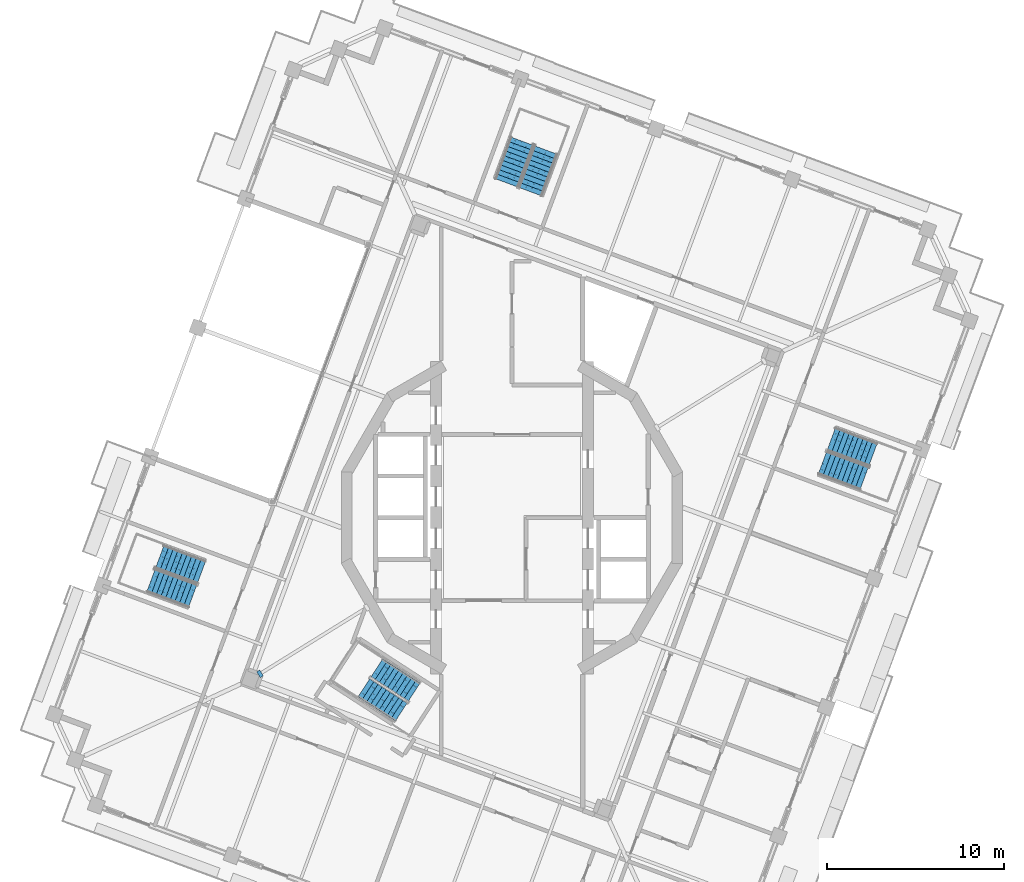
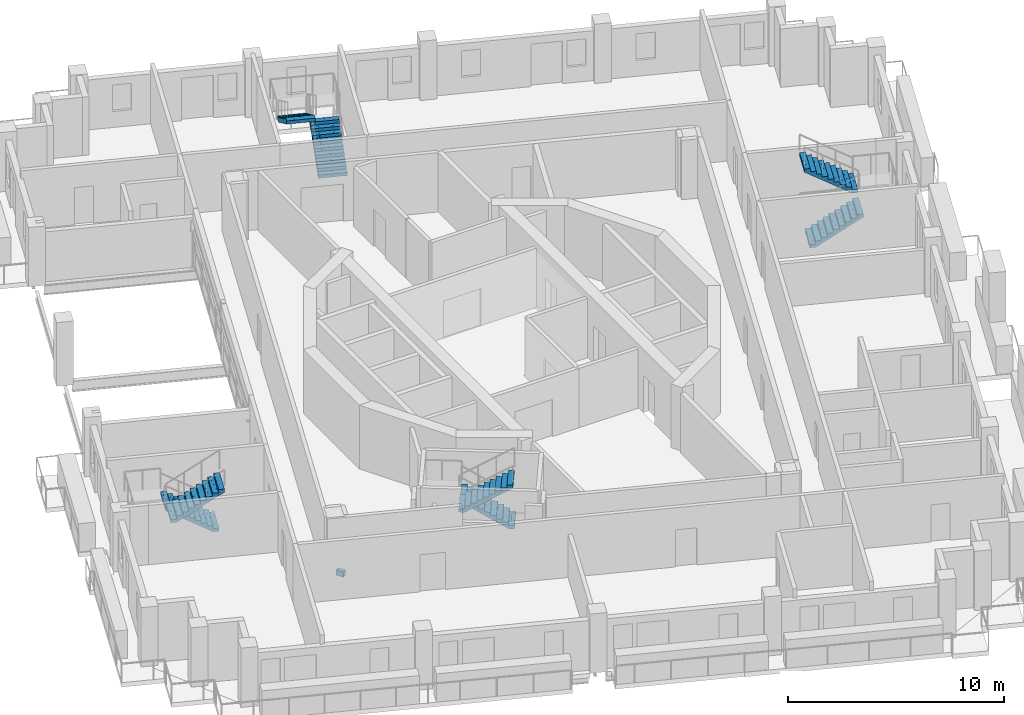
# One storey, part 13 of 20: 8 stair flights, 1 discrete accessory, 4 elements without a shape of their own.
"""IFC4 building model written with IfcOpenShell, lengths in metres."""

from ifc_helpers import new_model, si_unit, direction, frame, origin, place, context, subcontext, project, spatial, polyline, outline, extrude, material, layer, layer_set, type_object, element, aggregate, save


model = new_model("IFC4")

# Units and contexts
model_context = context("Model", 3, precision=1e-05, world=origin(), true_north=direction((0.0, 1.0)))
body_context = subcontext(model_context, "Body", "Model", "MODEL_VIEW")
ifc_project = project(units=[si_unit("LENGTHUNIT", "METRE"), si_unit("AREAUNIT", "SQUARE_METRE"), si_unit("VOLUMEUNIT", "CUBIC_METRE"), si_unit("PLANEANGLEUNIT", "RADIAN"), si_unit("MASSUNIT", "GRAM", prefix="KILO")], contexts=[model_context])

# Site, building, storey
site_placement = place(None, origin())
site = spatial("IfcSite", under=ifc_project, at=site_placement, CompositionType="ELEMENT")
building_placement = place(site_placement, origin())
building = spatial("IfcBuilding", under=site, at=building_placement, Name="Cantera Rosa Tower", CompositionType="ELEMENT")
storey_placement = place(building_placement, frame((0.0, 0.0, 309.699951171875)))
storey = spatial("IfcBuildingStorey", under=building, at=storey_placement, Name="L68", CompositionType="ELEMENT", Elevation=309.699951171875)

# Stair, stair flights
ifc_material_1 = material(Name="Concrete C35/45", Category="concrete")
stair_type_1 = type_object("IfcStairType", Name="EXIT STAIR 1200 DOGLEG", PredefinedType="HALF_TURN_STAIR", material=ifc_material_1)
stair_1_placement = place(storey_placement, origin())
stair_1 = element("IfcStair", 1, at=stair_1_placement, inside=storey, type_object=stair_type_1, Name="L68 ST-64", PredefinedType="HALF_TURN_STAIR")
ifc_material_2 = material(Name="Concrete C35/45", Category="concrete")
stair_flight_type_1 = type_object("IfcStairFlightType", Name="STAIR FLIGHT 1200 R20x180", PredefinedType="STRAIGHT", material=ifc_material_2)
stair_flight_1_placement = place(storey_placement, frame((-5.532470703125, -9.878173828125, 0.0), z_axis=(0.0, 0.0, 1.0), x_axis=(-0.838670567945, 0.544639035015, 0.0)))
stair_flight_1 = element("IfcStairFlight", 2, at=stair_flight_1_placement, type_object=stair_flight_type_1, Name="ST-64 flight 1", NumberOfRisers=10, NumberOfTreads=9, PredefinedType="STRAIGHT", RiserHeight=0.18, TreadLength=0.28, context=body_context, shape_type="SweptSolid", body=[
    extrude(outline(polyline([(0.0, 0.0), (0.0, 0.179931640625), (0.280029296875, 0.179931640625), (0.280029296875, 0.360107421875), (0.56005859375, 0.360107421875), (0.56005859375, 0.5400390625), (0.840087890625, 0.5400390625), (0.840087890625, 0.719970703125), (1.1201171875, 0.719970703125), (1.1201171875, 0.89990234375), (1.39990234375, 0.89990234375), (1.39990234375, 1.080078125), (1.679931640625, 1.080078125), (1.679931640625, 1.260009765625), (1.9599609375, 1.260009765625), (1.9599609375, 1.43994140625), (2.239990234375, 1.43994140625), (2.239990234375, 1.6201171875), (2.52001953125, 1.6201171875), (2.52001953125, 1.800048828125), (2.52001953125, 1.44189453125), (0.277099609375, 0.0), (0.0, 0.0)])), frame((0.0, 0.60009765625, 0.0), z_axis=(0.0, -1.0, 0.0), x_axis=(1.0, 0.0, 0.0)), (0.0, 0.0, 1.0), 0.298583984375),
    extrude(outline(polyline([(0.0, 0.0), (0.0, 0.179931640625), (0.280029296875, 0.179931640625), (0.280029296875, 0.360107421875), (0.56005859375, 0.360107421875), (0.56005859375, 0.5400390625), (0.840087890625, 0.5400390625), (0.840087890625, 0.719970703125), (1.1201171875, 0.719970703125), (1.1201171875, 0.89990234375), (1.39990234375, 0.89990234375), (1.39990234375, 1.080078125), (1.679931640625, 1.080078125), (1.679931640625, 1.260009765625), (1.9599609375, 1.260009765625), (1.9599609375, 1.43994140625), (2.239990234375, 1.43994140625), (2.239990234375, 1.6201171875), (2.52001953125, 1.6201171875), (2.52001953125, 1.800048828125), (2.52001953125, 1.44189453125), (0.277099609375, 0.0), (0.0, 0.0)])), frame((0.0, 0.29931640625, 0.0), z_axis=(0.0, -1.0, 0.0), x_axis=(1.0, 0.0, 0.0)), (0.0, 0.0, 1.0), 0.298583984375),
    extrude(outline(polyline([(0.0, 0.0), (0.0, 0.179931640625), (0.280029296875, 0.179931640625), (0.280029296875, 0.360107421875), (0.56005859375, 0.360107421875), (0.56005859375, 0.5400390625), (0.840087890625, 0.5400390625), (0.840087890625, 0.719970703125), (1.1201171875, 0.719970703125), (1.1201171875, 0.89990234375), (1.39990234375, 0.89990234375), (1.39990234375, 1.080078125), (1.679931640625, 1.080078125), (1.679931640625, 1.260009765625), (1.9599609375, 1.260009765625), (1.9599609375, 1.43994140625), (2.239990234375, 1.43994140625), (2.239990234375, 1.6201171875), (2.52001953125, 1.6201171875), (2.52001953125, 1.800048828125), (2.52001953125, 1.44189453125), (0.277099609375, 0.0), (0.0, 0.0)])), frame((0.0, -0.0009765625, 0.0), z_axis=(0.0, -1.0, 0.0), x_axis=(1.0, 0.0, 0.0)), (0.0, 0.0, 1.0), 0.298583984375),
    extrude(outline(polyline([(0.0, 0.0), (0.0, 0.179931640625), (0.280029296875, 0.179931640625), (0.280029296875, 0.360107421875), (0.56005859375, 0.360107421875), (0.56005859375, 0.5400390625), (0.840087890625, 0.5400390625), (0.840087890625, 0.719970703125), (1.1201171875, 0.719970703125), (1.1201171875, 0.89990234375), (1.39990234375, 0.89990234375), (1.39990234375, 1.080078125), (1.679931640625, 1.080078125), (1.679931640625, 1.260009765625), (1.9599609375, 1.260009765625), (1.9599609375, 1.43994140625), (2.239990234375, 1.43994140625), (2.239990234375, 1.6201171875), (2.52001953125, 1.6201171875), (2.52001953125, 1.800048828125), (2.52001953125, 1.44189453125), (0.277099609375, 0.0), (0.0, 0.0)])), frame((0.0, -0.3017578125, 0.0), z_axis=(0.0, -1.0, 0.0), x_axis=(1.0, 0.0, 0.0)), (0.0, 0.0, 1.0), 0.298583984375),
])
stair_flight_2_placement = place(storey_placement, frame((-8.381103515625, -9.6376953125, 1.800048828125), z_axis=(0.0, 0.0, 1.0), x_axis=(0.838670567945, -0.544639035015, 0.0)))
stair_flight_2 = element("IfcStairFlight", 3, at=stair_flight_2_placement, type_object=stair_flight_type_1, Name="ST-64 flight 2", NumberOfRisers=10, NumberOfTreads=9, PredefinedType="STRAIGHT", RiserHeight=0.18, TreadLength=0.28, context=body_context, shape_type="SweptSolid", body=[
    extrude(outline(polyline([(0.0, 0.0), (0.0, 0.179931640625), (0.280029296875, 0.179931640625), (0.280029296875, 0.360107421875), (0.56005859375, 0.360107421875), (0.56005859375, 0.5400390625), (0.840087890625, 0.5400390625), (0.840087890625, 0.719970703125), (1.1201171875, 0.719970703125), (1.1201171875, 0.89990234375), (1.39990234375, 0.89990234375), (1.39990234375, 1.080078125), (1.679931640625, 1.080078125), (1.679931640625, 1.260009765625), (1.9599609375, 1.260009765625), (1.9599609375, 1.43994140625), (2.239990234375, 1.43994140625), (2.239990234375, 1.6201171875), (2.52001953125, 1.6201171875), (2.52001953125, 1.800048828125), (2.52001953125, 1.44189453125), (0.277099609375, 0.0), (0.0, 0.0)])), frame((0.0, 0.60009765625, 0.0), z_axis=(0.0, -1.0, 0.0), x_axis=(1.0, 0.0, 0.0)), (0.0, 0.0, 1.0), 0.298583984375),
    extrude(outline(polyline([(0.0, 0.0), (0.0, 0.179931640625), (0.280029296875, 0.179931640625), (0.280029296875, 0.360107421875), (0.56005859375, 0.360107421875), (0.56005859375, 0.5400390625), (0.840087890625, 0.5400390625), (0.840087890625, 0.719970703125), (1.1201171875, 0.719970703125), (1.1201171875, 0.89990234375), (1.39990234375, 0.89990234375), (1.39990234375, 1.080078125), (1.679931640625, 1.080078125), (1.679931640625, 1.260009765625), (1.9599609375, 1.260009765625), (1.9599609375, 1.43994140625), (2.239990234375, 1.43994140625), (2.239990234375, 1.6201171875), (2.52001953125, 1.6201171875), (2.52001953125, 1.800048828125), (2.52001953125, 1.44189453125), (0.277099609375, 0.0), (0.0, 0.0)])), frame((0.0, 0.29931640625, 0.0), z_axis=(0.0, -1.0, 0.0), x_axis=(1.0, 0.0, 0.0)), (0.0, 0.0, 1.0), 0.298583984375),
    extrude(outline(polyline([(0.0, 0.0), (0.0, 0.179931640625), (0.280029296875, 0.179931640625), (0.280029296875, 0.360107421875), (0.56005859375, 0.360107421875), (0.56005859375, 0.5400390625), (0.840087890625, 0.5400390625), (0.840087890625, 0.719970703125), (1.1201171875, 0.719970703125), (1.1201171875, 0.89990234375), (1.39990234375, 0.89990234375), (1.39990234375, 1.080078125), (1.679931640625, 1.080078125), (1.679931640625, 1.260009765625), (1.9599609375, 1.260009765625), (1.9599609375, 1.43994140625), (2.239990234375, 1.43994140625), (2.239990234375, 1.6201171875), (2.52001953125, 1.6201171875), (2.52001953125, 1.800048828125), (2.52001953125, 1.44189453125), (0.277099609375, 0.0), (0.0, 0.0)])), frame((0.0, -0.0009765625, 0.0), z_axis=(0.0, -1.0, 0.0), x_axis=(1.0, 0.0, 0.0)), (0.0, 0.0, 1.0), 0.298583984375),
    extrude(outline(polyline([(0.0, 0.0), (0.0, 0.179931640625), (0.280029296875, 0.179931640625), (0.280029296875, 0.360107421875), (0.56005859375, 0.360107421875), (0.56005859375, 0.5400390625), (0.840087890625, 0.5400390625), (0.840087890625, 0.719970703125), (1.1201171875, 0.719970703125), (1.1201171875, 0.89990234375), (1.39990234375, 0.89990234375), (1.39990234375, 1.080078125), (1.679931640625, 1.080078125), (1.679931640625, 1.260009765625), (1.9599609375, 1.260009765625), (1.9599609375, 1.43994140625), (2.239990234375, 1.43994140625), (2.239990234375, 1.6201171875), (2.52001953125, 1.6201171875), (2.52001953125, 1.800048828125), (2.52001953125, 1.44189453125), (0.277099609375, 0.0), (0.0, 0.0)])), frame((0.0, -0.3017578125, 0.0), z_axis=(0.0, -1.0, 0.0), x_axis=(1.0, 0.0, 0.0)), (0.0, 0.0, 1.0), 0.298583984375),
])
aggregate(stair_1, [stair_flight_1, stair_flight_2])

ifc_material_3 = material(Name="Concrete C35/45", Category="concrete")
stair_type_2 = type_object("IfcStairType", Name="EXIT STAIR 1350 DOGLEG", PredefinedType="HALF_TURN_STAIR", material=ifc_material_3)
stair_2_placement = place(storey_placement, origin())
stair_2 = element("IfcStair", 4, at=stair_2_placement, inside=storey, type_object=stair_type_2, Name="L68 ST-61", PredefinedType="HALF_TURN_STAIR")
ifc_material_4 = material(Name="Concrete C35/45", Category="concrete")
stair_flight_type_2 = type_object("IfcStairFlightType", Name="STAIR FLIGHT 1350 R20x180", PredefinedType="STRAIGHT", material=ifc_material_4)
stair_flight_3_placement = place(storey_placement, frame((17.55908203125, 3.064453125, 0.0), z_axis=(0.0, 0.0, 1.0), x_axis=(0.937686938944, -0.347481229039, 0.0)))
stair_flight_3 = element("IfcStairFlight", 5, at=stair_flight_3_placement, type_object=stair_flight_type_2, Name="ST-61 flight 1", NumberOfRisers=10, NumberOfTreads=9, PredefinedType="STRAIGHT", RiserHeight=0.18, TreadLength=0.28, context=body_context, shape_type="SweptSolid", body=[
    extrude(outline(polyline([(0.0, 0.0), (0.0, 0.179931640625), (0.280029296875, 0.179931640625), (0.280029296875, 0.360107421875), (0.56005859375, 0.360107421875), (0.56005859375, 0.5400390625), (0.840087890625, 0.5400390625), (0.840087890625, 0.719970703125), (1.1201171875, 0.719970703125), (1.1201171875, 0.89990234375), (1.39990234375, 0.89990234375), (1.39990234375, 1.080078125), (1.679931640625, 1.080078125), (1.679931640625, 1.260009765625), (1.9599609375, 1.260009765625), (1.9599609375, 1.43994140625), (2.239990234375, 1.43994140625), (2.239990234375, 1.6201171875), (2.52001953125, 1.6201171875), (2.52001953125, 1.800048828125), (2.52001953125, 1.44189453125), (0.277099609375, 0.0), (0.0, 0.0)])), frame((0.0, 0.675048828125, 0.0), z_axis=(0.0, -1.0, 0.0), x_axis=(1.0, 0.0, 0.0)), (0.0, 0.0, 1.0), 0.3359375),
    extrude(outline(polyline([(0.0, 0.0), (0.0, 0.179931640625), (0.280029296875, 0.179931640625), (0.280029296875, 0.360107421875), (0.56005859375, 0.360107421875), (0.56005859375, 0.5400390625), (0.840087890625, 0.5400390625), (0.840087890625, 0.719970703125), (1.1201171875, 0.719970703125), (1.1201171875, 0.89990234375), (1.39990234375, 0.89990234375), (1.39990234375, 1.080078125), (1.679931640625, 1.080078125), (1.679931640625, 1.260009765625), (1.9599609375, 1.260009765625), (1.9599609375, 1.43994140625), (2.239990234375, 1.43994140625), (2.239990234375, 1.6201171875), (2.52001953125, 1.6201171875), (2.52001953125, 1.800048828125), (2.52001953125, 1.44189453125), (0.277099609375, 0.0), (0.0, 0.0)])), frame((0.0, 0.337158203125, 0.0), z_axis=(0.0, -1.0, 0.0), x_axis=(1.0, 0.0, 0.0)), (0.0, 0.0, 1.0), 0.3359375),
    extrude(outline(polyline([(0.0, 0.0), (0.0, 0.179931640625), (0.280029296875, 0.179931640625), (0.280029296875, 0.360107421875), (0.56005859375, 0.360107421875), (0.56005859375, 0.5400390625), (0.840087890625, 0.5400390625), (0.840087890625, 0.719970703125), (1.1201171875, 0.719970703125), (1.1201171875, 0.89990234375), (1.39990234375, 0.89990234375), (1.39990234375, 1.080078125), (1.679931640625, 1.080078125), (1.679931640625, 1.260009765625), (1.9599609375, 1.260009765625), (1.9599609375, 1.43994140625), (2.239990234375, 1.43994140625), (2.239990234375, 1.6201171875), (2.52001953125, 1.6201171875), (2.52001953125, 1.800048828125), (2.52001953125, 1.44189453125), (0.277099609375, 0.0), (0.0, 0.0)])), frame((0.0, -0.000732421875, 0.0), z_axis=(0.0, -1.0, 0.0), x_axis=(1.0, 0.0, 0.0)), (0.0, 0.0, 1.0), 0.3359375),
    extrude(outline(polyline([(0.0, 0.0), (0.0, 0.179931640625), (0.280029296875, 0.179931640625), (0.280029296875, 0.360107421875), (0.56005859375, 0.360107421875), (0.56005859375, 0.5400390625), (0.840087890625, 0.5400390625), (0.840087890625, 0.719970703125), (1.1201171875, 0.719970703125), (1.1201171875, 0.89990234375), (1.39990234375, 0.89990234375), (1.39990234375, 1.080078125), (1.679931640625, 1.080078125), (1.679931640625, 1.260009765625), (1.9599609375, 1.260009765625), (1.9599609375, 1.43994140625), (2.239990234375, 1.43994140625), (2.239990234375, 1.6201171875), (2.52001953125, 1.6201171875), (2.52001953125, 1.800048828125), (2.52001953125, 1.44189453125), (0.277099609375, 0.0), (0.0, 0.0)])), frame((0.0, -0.338623046875, 0.0), z_axis=(0.0, -1.0, 0.0), x_axis=(1.0, 0.0, 0.0)), (0.0, 0.0, 1.0), 0.3359375),
])
stair_flight_4_placement = place(storey_placement, frame((20.443115234375, 3.595458984375, 1.800048828125), z_axis=(0.0, 0.0, 1.0), x_axis=(-0.937686938944, 0.347481229039, 0.0)))
stair_flight_4 = element("IfcStairFlight", 6, at=stair_flight_4_placement, type_object=stair_flight_type_2, Name="ST-61 flight 2", NumberOfRisers=10, NumberOfTreads=9, PredefinedType="STRAIGHT", RiserHeight=0.18, TreadLength=0.28, context=body_context, shape_type="SweptSolid", body=[
    extrude(outline(polyline([(0.0, 0.0), (0.0, 0.179931640625), (0.280029296875, 0.179931640625), (0.280029296875, 0.360107421875), (0.56005859375, 0.360107421875), (0.56005859375, 0.5400390625), (0.840087890625, 0.5400390625), (0.840087890625, 0.719970703125), (1.1201171875, 0.719970703125), (1.1201171875, 0.89990234375), (1.39990234375, 0.89990234375), (1.39990234375, 1.080078125), (1.679931640625, 1.080078125), (1.679931640625, 1.260009765625), (1.9599609375, 1.260009765625), (1.9599609375, 1.43994140625), (2.239990234375, 1.43994140625), (2.239990234375, 1.6201171875), (2.52001953125, 1.6201171875), (2.52001953125, 1.800048828125), (2.52001953125, 1.44189453125), (0.277099609375, 0.0), (0.0, 0.0)])), frame((0.0, 0.675048828125, 0.0), z_axis=(0.0, -1.0, 0.0), x_axis=(1.0, 0.0, 0.0)), (0.0, 0.0, 1.0), 0.3359375),
    extrude(outline(polyline([(0.0, 0.0), (0.0, 0.179931640625), (0.280029296875, 0.179931640625), (0.280029296875, 0.360107421875), (0.56005859375, 0.360107421875), (0.56005859375, 0.5400390625), (0.840087890625, 0.5400390625), (0.840087890625, 0.719970703125), (1.1201171875, 0.719970703125), (1.1201171875, 0.89990234375), (1.39990234375, 0.89990234375), (1.39990234375, 1.080078125), (1.679931640625, 1.080078125), (1.679931640625, 1.260009765625), (1.9599609375, 1.260009765625), (1.9599609375, 1.43994140625), (2.239990234375, 1.43994140625), (2.239990234375, 1.6201171875), (2.52001953125, 1.6201171875), (2.52001953125, 1.800048828125), (2.52001953125, 1.44189453125), (0.277099609375, 0.0), (0.0, 0.0)])), frame((0.0, 0.337158203125, 0.0), z_axis=(0.0, -1.0, 0.0), x_axis=(1.0, 0.0, 0.0)), (0.0, 0.0, 1.0), 0.3359375),
    extrude(outline(polyline([(0.0, 0.0), (0.0, 0.179931640625), (0.280029296875, 0.179931640625), (0.280029296875, 0.360107421875), (0.56005859375, 0.360107421875), (0.56005859375, 0.5400390625), (0.840087890625, 0.5400390625), (0.840087890625, 0.719970703125), (1.1201171875, 0.719970703125), (1.1201171875, 0.89990234375), (1.39990234375, 0.89990234375), (1.39990234375, 1.080078125), (1.679931640625, 1.080078125), (1.679931640625, 1.260009765625), (1.9599609375, 1.260009765625), (1.9599609375, 1.43994140625), (2.239990234375, 1.43994140625), (2.239990234375, 1.6201171875), (2.52001953125, 1.6201171875), (2.52001953125, 1.800048828125), (2.52001953125, 1.44189453125), (0.277099609375, 0.0), (0.0, 0.0)])), frame((0.0, -0.000732421875, 0.0), z_axis=(0.0, -1.0, 0.0), x_axis=(1.0, 0.0, 0.0)), (0.0, 0.0, 1.0), 0.3359375),
    extrude(outline(polyline([(0.0, 0.0), (0.0, 0.179931640625), (0.280029296875, 0.179931640625), (0.280029296875, 0.360107421875), (0.56005859375, 0.360107421875), (0.56005859375, 0.5400390625), (0.840087890625, 0.5400390625), (0.840087890625, 0.719970703125), (1.1201171875, 0.719970703125), (1.1201171875, 0.89990234375), (1.39990234375, 0.89990234375), (1.39990234375, 1.080078125), (1.679931640625, 1.080078125), (1.679931640625, 1.260009765625), (1.9599609375, 1.260009765625), (1.9599609375, 1.43994140625), (2.239990234375, 1.43994140625), (2.239990234375, 1.6201171875), (2.52001953125, 1.6201171875), (2.52001953125, 1.800048828125), (2.52001953125, 1.44189453125), (0.277099609375, 0.0), (0.0, 0.0)])), frame((0.0, -0.338623046875, 0.0), z_axis=(0.0, -1.0, 0.0), x_axis=(1.0, 0.0, 0.0)), (0.0, 0.0, 1.0), 0.3359375),
])
aggregate(stair_2, [stair_flight_3, stair_flight_4])

stair_3_placement = place(storey_placement, origin())
stair_3 = element("IfcStair", 7, at=stair_3_placement, inside=storey, type_object=stair_type_2, Name="L68 ST-62", PredefinedType="HALF_TURN_STAIR")
stair_flight_5_placement = place(storey_placement, frame((1.069580078125, 18.426513671875, 0.0), z_axis=(0.0, 0.0, 1.0), x_axis=(0.347481229039, 0.937686938944, 0.0)))
stair_flight_5 = element("IfcStairFlight", 8, at=stair_flight_5_placement, type_object=stair_flight_type_2, Name="ST-62 flight 1", NumberOfRisers=10, NumberOfTreads=9, PredefinedType="STRAIGHT", RiserHeight=0.18, TreadLength=0.28, context=body_context, shape_type="SweptSolid", body=[
    extrude(outline(polyline([(0.0, 0.0), (0.0, 0.179931640625), (0.280029296875, 0.179931640625), (0.280029296875, 0.360107421875), (0.56005859375, 0.360107421875), (0.56005859375, 0.5400390625), (0.840087890625, 0.5400390625), (0.840087890625, 0.719970703125), (1.1201171875, 0.719970703125), (1.1201171875, 0.89990234375), (1.39990234375, 0.89990234375), (1.39990234375, 1.080078125), (1.679931640625, 1.080078125), (1.679931640625, 1.260009765625), (1.9599609375, 1.260009765625), (1.9599609375, 1.43994140625), (2.239990234375, 1.43994140625), (2.239990234375, 1.6201171875), (2.52001953125, 1.6201171875), (2.52001953125, 1.800048828125), (2.52001953125, 1.44189453125), (0.277099609375, 0.0), (0.0, 0.0)])), frame((0.0, 0.675048828125, 0.0), z_axis=(0.0, -1.0, 0.0), x_axis=(1.0, 0.0, 0.0)), (0.0, 0.0, 1.0), 0.3359375),
    extrude(outline(polyline([(0.0, 0.0), (0.0, 0.179931640625), (0.280029296875, 0.179931640625), (0.280029296875, 0.360107421875), (0.56005859375, 0.360107421875), (0.56005859375, 0.5400390625), (0.840087890625, 0.5400390625), (0.840087890625, 0.719970703125), (1.1201171875, 0.719970703125), (1.1201171875, 0.89990234375), (1.39990234375, 0.89990234375), (1.39990234375, 1.080078125), (1.679931640625, 1.080078125), (1.679931640625, 1.260009765625), (1.9599609375, 1.260009765625), (1.9599609375, 1.43994140625), (2.239990234375, 1.43994140625), (2.239990234375, 1.6201171875), (2.52001953125, 1.6201171875), (2.52001953125, 1.800048828125), (2.52001953125, 1.44189453125), (0.277099609375, 0.0), (0.0, 0.0)])), frame((0.0, 0.337158203125, 0.0), z_axis=(0.0, -1.0, 0.0), x_axis=(1.0, 0.0, 0.0)), (0.0, 0.0, 1.0), 0.3359375),
    extrude(outline(polyline([(0.0, 0.0), (0.0, 0.179931640625), (0.280029296875, 0.179931640625), (0.280029296875, 0.360107421875), (0.56005859375, 0.360107421875), (0.56005859375, 0.5400390625), (0.840087890625, 0.5400390625), (0.840087890625, 0.719970703125), (1.1201171875, 0.719970703125), (1.1201171875, 0.89990234375), (1.39990234375, 0.89990234375), (1.39990234375, 1.080078125), (1.679931640625, 1.080078125), (1.679931640625, 1.260009765625), (1.9599609375, 1.260009765625), (1.9599609375, 1.43994140625), (2.239990234375, 1.43994140625), (2.239990234375, 1.6201171875), (2.52001953125, 1.6201171875), (2.52001953125, 1.800048828125), (2.52001953125, 1.44189453125), (0.277099609375, 0.0), (0.0, 0.0)])), frame((0.0, -0.000732421875, 0.0), z_axis=(0.0, -1.0, 0.0), x_axis=(1.0, 0.0, 0.0)), (0.0, 0.0, 1.0), 0.3359375),
    extrude(outline(polyline([(0.0, 0.0), (0.0, 0.179931640625), (0.280029296875, 0.179931640625), (0.280029296875, 0.360107421875), (0.56005859375, 0.360107421875), (0.56005859375, 0.5400390625), (0.840087890625, 0.5400390625), (0.840087890625, 0.719970703125), (1.1201171875, 0.719970703125), (1.1201171875, 0.89990234375), (1.39990234375, 0.89990234375), (1.39990234375, 1.080078125), (1.679931640625, 1.080078125), (1.679931640625, 1.260009765625), (1.9599609375, 1.260009765625), (1.9599609375, 1.43994140625), (2.239990234375, 1.43994140625), (2.239990234375, 1.6201171875), (2.52001953125, 1.6201171875), (2.52001953125, 1.800048828125), (2.52001953125, 1.44189453125), (0.277099609375, 0.0), (0.0, 0.0)])), frame((0.0, -0.338623046875, 0.0), z_axis=(0.0, -1.0, 0.0), x_axis=(1.0, 0.0, 0.0)), (0.0, 0.0, 1.0), 0.3359375),
])
stair_flight_6_placement = place(storey_placement, frame((0.53857421875, 21.310791015625, 1.800048828125), z_axis=(0.0, 0.0, 1.0), x_axis=(-0.347481229039, -0.937686938944, 0.0)))
stair_flight_6 = element("IfcStairFlight", 9, at=stair_flight_6_placement, type_object=stair_flight_type_2, Name="ST-62 flight 2", NumberOfRisers=10, NumberOfTreads=9, PredefinedType="STRAIGHT", RiserHeight=0.18, TreadLength=0.28, context=body_context, shape_type="SweptSolid", body=[
    extrude(outline(polyline([(0.0, 0.0), (0.0, 0.179931640625), (0.280029296875, 0.179931640625), (0.280029296875, 0.360107421875), (0.56005859375, 0.360107421875), (0.56005859375, 0.5400390625), (0.840087890625, 0.5400390625), (0.840087890625, 0.719970703125), (1.1201171875, 0.719970703125), (1.1201171875, 0.89990234375), (1.39990234375, 0.89990234375), (1.39990234375, 1.080078125), (1.679931640625, 1.080078125), (1.679931640625, 1.260009765625), (1.9599609375, 1.260009765625), (1.9599609375, 1.43994140625), (2.239990234375, 1.43994140625), (2.239990234375, 1.6201171875), (2.52001953125, 1.6201171875), (2.52001953125, 1.800048828125), (2.52001953125, 1.44189453125), (0.277099609375, 0.0), (0.0, 0.0)])), frame((0.0, 0.675048828125, 0.0), z_axis=(0.0, -1.0, 0.0), x_axis=(1.0, 0.0, 0.0)), (0.0, 0.0, 1.0), 0.3359375),
    extrude(outline(polyline([(0.0, 0.0), (0.0, 0.179931640625), (0.280029296875, 0.179931640625), (0.280029296875, 0.360107421875), (0.56005859375, 0.360107421875), (0.56005859375, 0.5400390625), (0.840087890625, 0.5400390625), (0.840087890625, 0.719970703125), (1.1201171875, 0.719970703125), (1.1201171875, 0.89990234375), (1.39990234375, 0.89990234375), (1.39990234375, 1.080078125), (1.679931640625, 1.080078125), (1.679931640625, 1.260009765625), (1.9599609375, 1.260009765625), (1.9599609375, 1.43994140625), (2.239990234375, 1.43994140625), (2.239990234375, 1.6201171875), (2.52001953125, 1.6201171875), (2.52001953125, 1.800048828125), (2.52001953125, 1.44189453125), (0.277099609375, 0.0), (0.0, 0.0)])), frame((0.0, 0.337158203125, 0.0), z_axis=(0.0, -1.0, 0.0), x_axis=(1.0, 0.0, 0.0)), (0.0, 0.0, 1.0), 0.3359375),
    extrude(outline(polyline([(0.0, 0.0), (0.0, 0.179931640625), (0.280029296875, 0.179931640625), (0.280029296875, 0.360107421875), (0.56005859375, 0.360107421875), (0.56005859375, 0.5400390625), (0.840087890625, 0.5400390625), (0.840087890625, 0.719970703125), (1.1201171875, 0.719970703125), (1.1201171875, 0.89990234375), (1.39990234375, 0.89990234375), (1.39990234375, 1.080078125), (1.679931640625, 1.080078125), (1.679931640625, 1.260009765625), (1.9599609375, 1.260009765625), (1.9599609375, 1.43994140625), (2.239990234375, 1.43994140625), (2.239990234375, 1.6201171875), (2.52001953125, 1.6201171875), (2.52001953125, 1.800048828125), (2.52001953125, 1.44189453125), (0.277099609375, 0.0), (0.0, 0.0)])), frame((0.0, -0.000732421875, 0.0), z_axis=(0.0, -1.0, 0.0), x_axis=(1.0, 0.0, 0.0)), (0.0, 0.0, 1.0), 0.3359375),
    extrude(outline(polyline([(0.0, 0.0), (0.0, 0.179931640625), (0.280029296875, 0.179931640625), (0.280029296875, 0.360107421875), (0.56005859375, 0.360107421875), (0.56005859375, 0.5400390625), (0.840087890625, 0.5400390625), (0.840087890625, 0.719970703125), (1.1201171875, 0.719970703125), (1.1201171875, 0.89990234375), (1.39990234375, 0.89990234375), (1.39990234375, 1.080078125), (1.679931640625, 1.080078125), (1.679931640625, 1.260009765625), (1.9599609375, 1.260009765625), (1.9599609375, 1.43994140625), (2.239990234375, 1.43994140625), (2.239990234375, 1.6201171875), (2.52001953125, 1.6201171875), (2.52001953125, 1.800048828125), (2.52001953125, 1.44189453125), (0.277099609375, 0.0), (0.0, 0.0)])), frame((0.0, -0.338623046875, 0.0), z_axis=(0.0, -1.0, 0.0), x_axis=(1.0, 0.0, 0.0)), (0.0, 0.0, 1.0), 0.3359375),
])
aggregate(stair_3, [stair_flight_5, stair_flight_6])

stair_4_placement = place(storey_placement, origin())
stair_4 = element("IfcStair", 10, at=stair_4_placement, inside=storey, type_object=stair_type_2, Name="L68 ST-63", PredefinedType="HALF_TURN_STAIR")
stair_flight_7_placement = place(storey_placement, frame((-17.55908203125, -3.064453125, 0.0), z_axis=(0.0, 0.0, 1.0), x_axis=(-0.937686938944, 0.347481229039, 0.0)))
stair_flight_7 = element("IfcStairFlight", 11, at=stair_flight_7_placement, type_object=stair_flight_type_2, Name="ST-63 flight 1", NumberOfRisers=10, NumberOfTreads=9, PredefinedType="STRAIGHT", RiserHeight=0.18, TreadLength=0.28, context=body_context, shape_type="SweptSolid", body=[
    extrude(outline(polyline([(0.0, 0.0), (0.0, 0.179931640625), (0.280029296875, 0.179931640625), (0.280029296875, 0.360107421875), (0.56005859375, 0.360107421875), (0.56005859375, 0.5400390625), (0.840087890625, 0.5400390625), (0.840087890625, 0.719970703125), (1.1201171875, 0.719970703125), (1.1201171875, 0.89990234375), (1.39990234375, 0.89990234375), (1.39990234375, 1.080078125), (1.679931640625, 1.080078125), (1.679931640625, 1.260009765625), (1.9599609375, 1.260009765625), (1.9599609375, 1.43994140625), (2.239990234375, 1.43994140625), (2.239990234375, 1.6201171875), (2.52001953125, 1.6201171875), (2.52001953125, 1.800048828125), (2.52001953125, 1.44189453125), (0.277099609375, 0.0), (0.0, 0.0)])), frame((0.0, 0.675048828125, 0.0), z_axis=(0.0, -1.0, 0.0), x_axis=(1.0, 0.0, 0.0)), (0.0, 0.0, 1.0), 0.3359375),
    extrude(outline(polyline([(0.0, 0.0), (0.0, 0.179931640625), (0.280029296875, 0.179931640625), (0.280029296875, 0.360107421875), (0.56005859375, 0.360107421875), (0.56005859375, 0.5400390625), (0.840087890625, 0.5400390625), (0.840087890625, 0.719970703125), (1.1201171875, 0.719970703125), (1.1201171875, 0.89990234375), (1.39990234375, 0.89990234375), (1.39990234375, 1.080078125), (1.679931640625, 1.080078125), (1.679931640625, 1.260009765625), (1.9599609375, 1.260009765625), (1.9599609375, 1.43994140625), (2.239990234375, 1.43994140625), (2.239990234375, 1.6201171875), (2.52001953125, 1.6201171875), (2.52001953125, 1.800048828125), (2.52001953125, 1.44189453125), (0.277099609375, 0.0), (0.0, 0.0)])), frame((0.0, 0.337158203125, 0.0), z_axis=(0.0, -1.0, 0.0), x_axis=(1.0, 0.0, 0.0)), (0.0, 0.0, 1.0), 0.3359375),
    extrude(outline(polyline([(0.0, 0.0), (0.0, 0.179931640625), (0.280029296875, 0.179931640625), (0.280029296875, 0.360107421875), (0.56005859375, 0.360107421875), (0.56005859375, 0.5400390625), (0.840087890625, 0.5400390625), (0.840087890625, 0.719970703125), (1.1201171875, 0.719970703125), (1.1201171875, 0.89990234375), (1.39990234375, 0.89990234375), (1.39990234375, 1.080078125), (1.679931640625, 1.080078125), (1.679931640625, 1.260009765625), (1.9599609375, 1.260009765625), (1.9599609375, 1.43994140625), (2.239990234375, 1.43994140625), (2.239990234375, 1.6201171875), (2.52001953125, 1.6201171875), (2.52001953125, 1.800048828125), (2.52001953125, 1.44189453125), (0.277099609375, 0.0), (0.0, 0.0)])), frame((0.0, -0.000732421875, 0.0), z_axis=(0.0, -1.0, 0.0), x_axis=(1.0, 0.0, 0.0)), (0.0, 0.0, 1.0), 0.3359375),
    extrude(outline(polyline([(0.0, 0.0), (0.0, 0.179931640625), (0.280029296875, 0.179931640625), (0.280029296875, 0.360107421875), (0.56005859375, 0.360107421875), (0.56005859375, 0.5400390625), (0.840087890625, 0.5400390625), (0.840087890625, 0.719970703125), (1.1201171875, 0.719970703125), (1.1201171875, 0.89990234375), (1.39990234375, 0.89990234375), (1.39990234375, 1.080078125), (1.679931640625, 1.080078125), (1.679931640625, 1.260009765625), (1.9599609375, 1.260009765625), (1.9599609375, 1.43994140625), (2.239990234375, 1.43994140625), (2.239990234375, 1.6201171875), (2.52001953125, 1.6201171875), (2.52001953125, 1.800048828125), (2.52001953125, 1.44189453125), (0.277099609375, 0.0), (0.0, 0.0)])), frame((0.0, -0.338623046875, 0.0), z_axis=(0.0, -1.0, 0.0), x_axis=(1.0, 0.0, 0.0)), (0.0, 0.0, 1.0), 0.3359375),
])
stair_flight_8_placement = place(storey_placement, frame((-20.443115234375, -3.595458984375, 1.800048828125), z_axis=(0.0, 0.0, 1.0), x_axis=(0.937686938944, -0.347481229039, 0.0)))
stair_flight_8 = element("IfcStairFlight", 12, at=stair_flight_8_placement, type_object=stair_flight_type_2, Name="ST-63 flight 2", NumberOfRisers=10, NumberOfTreads=9, PredefinedType="STRAIGHT", RiserHeight=0.18, TreadLength=0.28, context=body_context, shape_type="SweptSolid", body=[
    extrude(outline(polyline([(0.0, 0.0), (0.0, 0.179931640625), (0.280029296875, 0.179931640625), (0.280029296875, 0.360107421875), (0.56005859375, 0.360107421875), (0.56005859375, 0.5400390625), (0.840087890625, 0.5400390625), (0.840087890625, 0.719970703125), (1.1201171875, 0.719970703125), (1.1201171875, 0.89990234375), (1.39990234375, 0.89990234375), (1.39990234375, 1.080078125), (1.679931640625, 1.080078125), (1.679931640625, 1.260009765625), (1.9599609375, 1.260009765625), (1.9599609375, 1.43994140625), (2.239990234375, 1.43994140625), (2.239990234375, 1.6201171875), (2.52001953125, 1.6201171875), (2.52001953125, 1.800048828125), (2.52001953125, 1.44189453125), (0.277099609375, 0.0), (0.0, 0.0)])), frame((0.0, 0.675048828125, 0.0), z_axis=(0.0, -1.0, 0.0), x_axis=(1.0, 0.0, 0.0)), (0.0, 0.0, 1.0), 0.3359375),
    extrude(outline(polyline([(0.0, 0.0), (0.0, 0.179931640625), (0.280029296875, 0.179931640625), (0.280029296875, 0.360107421875), (0.56005859375, 0.360107421875), (0.56005859375, 0.5400390625), (0.840087890625, 0.5400390625), (0.840087890625, 0.719970703125), (1.1201171875, 0.719970703125), (1.1201171875, 0.89990234375), (1.39990234375, 0.89990234375), (1.39990234375, 1.080078125), (1.679931640625, 1.080078125), (1.679931640625, 1.260009765625), (1.9599609375, 1.260009765625), (1.9599609375, 1.43994140625), (2.239990234375, 1.43994140625), (2.239990234375, 1.6201171875), (2.52001953125, 1.6201171875), (2.52001953125, 1.800048828125), (2.52001953125, 1.44189453125), (0.277099609375, 0.0), (0.0, 0.0)])), frame((0.0, 0.337158203125, 0.0), z_axis=(0.0, -1.0, 0.0), x_axis=(1.0, 0.0, 0.0)), (0.0, 0.0, 1.0), 0.3359375),
    extrude(outline(polyline([(0.0, 0.0), (0.0, 0.179931640625), (0.280029296875, 0.179931640625), (0.280029296875, 0.360107421875), (0.56005859375, 0.360107421875), (0.56005859375, 0.5400390625), (0.840087890625, 0.5400390625), (0.840087890625, 0.719970703125), (1.1201171875, 0.719970703125), (1.1201171875, 0.89990234375), (1.39990234375, 0.89990234375), (1.39990234375, 1.080078125), (1.679931640625, 1.080078125), (1.679931640625, 1.260009765625), (1.9599609375, 1.260009765625), (1.9599609375, 1.43994140625), (2.239990234375, 1.43994140625), (2.239990234375, 1.6201171875), (2.52001953125, 1.6201171875), (2.52001953125, 1.800048828125), (2.52001953125, 1.44189453125), (0.277099609375, 0.0), (0.0, 0.0)])), frame((0.0, -0.000732421875, 0.0), z_axis=(0.0, -1.0, 0.0), x_axis=(1.0, 0.0, 0.0)), (0.0, 0.0, 1.0), 0.3359375),
    extrude(outline(polyline([(0.0, 0.0), (0.0, 0.179931640625), (0.280029296875, 0.179931640625), (0.280029296875, 0.360107421875), (0.56005859375, 0.360107421875), (0.56005859375, 0.5400390625), (0.840087890625, 0.5400390625), (0.840087890625, 0.719970703125), (1.1201171875, 0.719970703125), (1.1201171875, 0.89990234375), (1.39990234375, 0.89990234375), (1.39990234375, 1.080078125), (1.679931640625, 1.080078125), (1.679931640625, 1.260009765625), (1.9599609375, 1.260009765625), (1.9599609375, 1.43994140625), (2.239990234375, 1.43994140625), (2.239990234375, 1.6201171875), (2.52001953125, 1.6201171875), (2.52001953125, 1.800048828125), (2.52001953125, 1.44189453125), (0.277099609375, 0.0), (0.0, 0.0)])), frame((0.0, -0.338623046875, 0.0), z_axis=(0.0, -1.0, 0.0), x_axis=(1.0, 0.0, 0.0)), (0.0, 0.0, 1.0), 0.3359375),
])
aggregate(stair_4, [stair_flight_7, stair_flight_8])

# Discrete accessory
ifc_material_5 = material(Name="Steel ASTM A992 (Fy 345 MPa)", Category="steel")
ifc_layer = layer(ifc_material_5, 0.0400390625)
ifc_layer_set = layer_set([ifc_layer], Name="STEEL BEARING PLATE 40")
discrete_accessory_type = type_object("IfcDiscreteAccessoryType", Name="STEEL BEARING PLATE 40", PredefinedType="ANCHORPLATE", material=ifc_layer_set)
discrete_accessory_placement = place(storey_placement, frame((0.0, 0.0, -0.60595703125)))
element("IfcDiscreteAccessory", 13, at=discrete_accessory_placement, inside=storey, type_object=discrete_accessory_type, Name="BEARING PLATE PG-Z6-01 end 1 L68", PredefinedType="ANCHORPLATE", context=body_context, shape_type="SweptSolid", body=[
    extrude(outline(polyline([(-14.277099609375, -8.6318359375), (-14.447021484375, -8.7373046875), (-14.247802734375, -9.05859375), (-14.077880859375, -8.953125), (-14.277099609375, -8.6318359375)])), origin(), (0.0, 0.0, 1.0), 0.305908203125),
])

save(model, "model.ifc")
